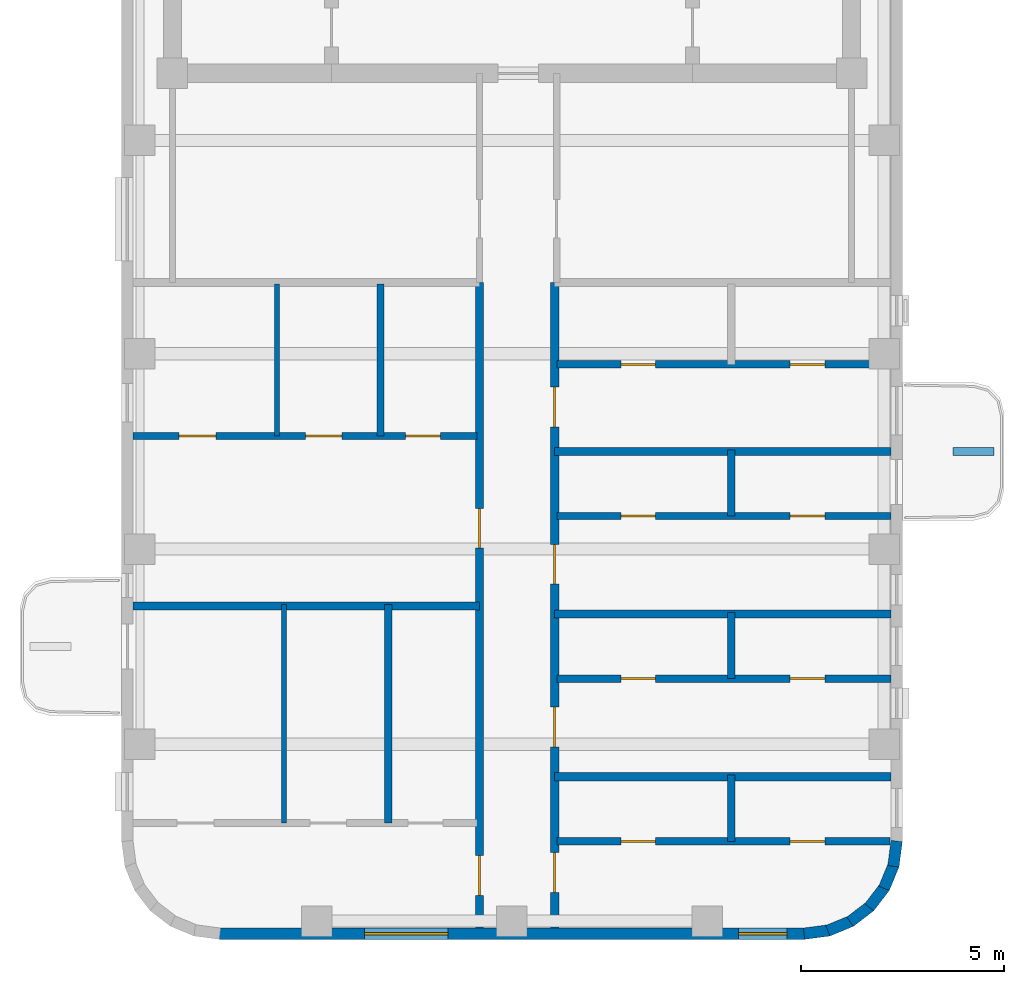
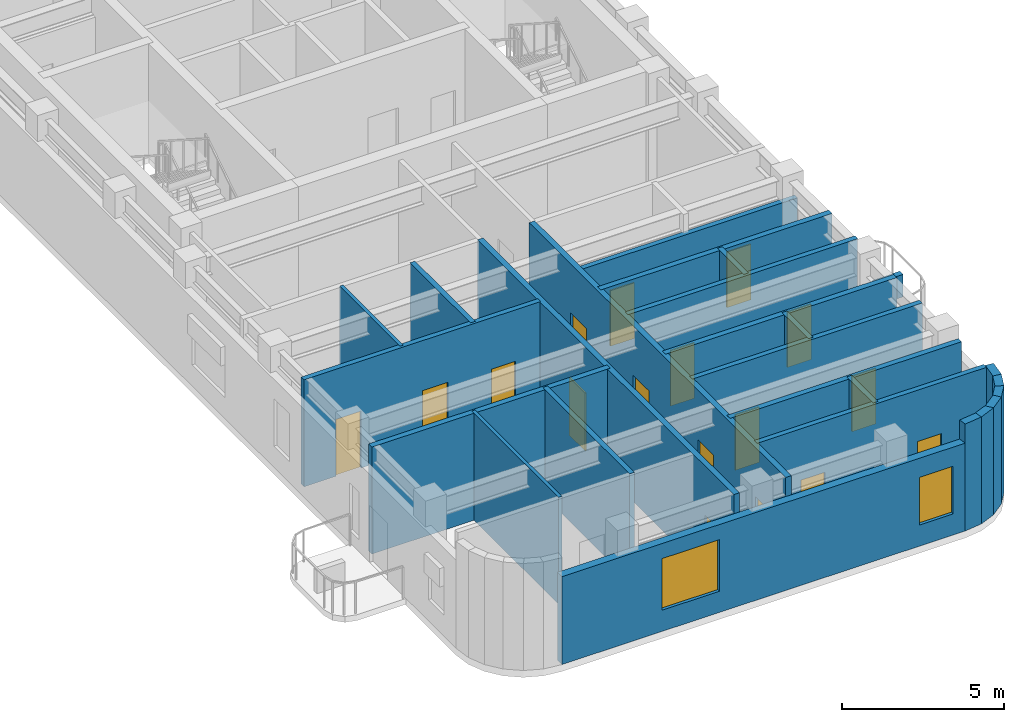
# One storey, part 2 of 7: 26 walls, 17 doors, 2 windows, 19 openings.
"""IFC4 building model written with IfcOpenShell, lengths in metres."""

from ifc_helpers import new_model, si_unit, direction, frame, frame_2d, origin, place, context, subcontext, project, spatial, rectangle, extrude, material, layer, layer_set, type_object, element, fill, save


model = new_model("IFC4")

# Units and contexts
model_context = context("Model", 3, precision=1e-05, world=origin(), true_north=direction((0.0, 1.0)))
body_context = subcontext(model_context, "Body", "Model", "MODEL_VIEW")
ifc_project = project(units=[si_unit("LENGTHUNIT", "METRE"), si_unit("AREAUNIT", "SQUARE_METRE"), si_unit("VOLUMEUNIT", "CUBIC_METRE"), si_unit("PLANEANGLEUNIT", "RADIAN"), si_unit("MASSUNIT", "GRAM", prefix="KILO")], contexts=[model_context])

# Site, building, storey
site_placement = place(None, origin())
site = spatial("IfcSite", under=ifc_project, at=site_placement, CompositionType="ELEMENT")
building_placement = place(site_placement, origin())
building = spatial("IfcBuilding", under=site, at=building_placement, Name="Orvandelia Arch Residences", CompositionType="ELEMENT")
storey_placement = place(building_placement, frame((0.0, 0.0, 257.0)))
storey = spatial("IfcBuildingStorey", under=building, at=storey_placement, Name="L67", CompositionType="ELEMENT", Elevation=257.0)

# Wall, openings, doors
ifc_material_1 = material(Name="Fire-Rated Corridor Partition")
ifc_layer_1 = layer(ifc_material_1, 0.199951171875, Name="Fire-Rated Corridor Partition")
ifc_layer_set_1 = layer_set([ifc_layer_1], Name="Fire-Rated Corridor Partition")
wall_type_1 = type_object("IfcWallType", Name="WL-CORR-200", PredefinedType="PARTITIONING", material=ifc_layer_set_1)
wall_1_placement = place(storey_placement, frame((13.60009765625, 9.8798828125, 0.0), z_axis=(0.0, 0.0, 1.0), x_axis=(0.0, 1.0, 0.0)))
wall_1 = element("IfcWall", 1, at=wall_1_placement, inside=storey, type_object=wall_type_1, Name="Interior Partition Wall WL-L67-WC-W", PredefinedType="PARTITIONING", context=body_context, shape_type="SweptSolid", body=[
    extrude(rectangle(XDim=15.8701171875, YDim=0.199951171875, at=frame_2d((7.93505859375, 0.0))), origin(), (0.0, 0.0, 1.0), 4.0400390625),
])
opening_1_placement = place(wall_1_placement, frame((0.801025390625, 0.0, 0.0)))
opening_1 = element("IfcOpeningElement", 2, at=opening_1_placement, cuts=wall_1, Name="Opening D1", PredefinedType="OPENING", context=body_context, shape_type="SweptSolid", body=[
    extrude(rectangle(XDim=0.97998046875, YDim=2.179931640625, at=frame_2d((0.489990234375, 1.08984375))), frame((0.0, 0.10986328125, 0.0), z_axis=(0.0, -1.0, 0.0), x_axis=(1.0, 0.0, 0.0)), (0.0, 0.0, 1.0), 0.219970703125),
])
opening_2_placement = place(wall_1_placement, frame((9.342041015625, 0.0, 0.0)))
opening_2 = element("IfcOpeningElement", 3, at=opening_2_placement, cuts=wall_1, Name="Opening D1", PredefinedType="OPENING", context=body_context, shape_type="SweptSolid", body=[
    extrude(rectangle(XDim=0.97998046875, YDim=2.179931640625, at=frame_2d((0.489990234375, 1.08984375))), frame((0.0, 0.10986328125, 0.0), z_axis=(0.0, -1.0, 0.0), x_axis=(1.0, 0.0, 0.0)), (0.0, 0.0, 1.0), 0.219970703125),
])
ifc_material_2 = material(Name="Solid-Core Timber Acoustic Fire Door", Category="wood")
door_type_1 = type_object("IfcDoorType", Name="DR-ENT-980", OperationType="NOTDEFINED", PredefinedType="DOOR", material=ifc_material_2)
door_1_placement = place(opening_1_placement, origin())
door_1 = element("IfcDoor", 4, at=door_1_placement, inside=storey, type_object=door_type_1, Name="Unit L67-01 Entrance Door", OperationType="SINGLE_SWING_LEFT", OverallHeight=2.179931640625, OverallWidth=0.97998046875, PredefinedType="DOOR", context=body_context, shape_type="SweptSolid", body=[
    extrude(rectangle(XDim=0.97998046875, YDim=2.179931640625, at=frame_2d((0.489990234375, 1.08984375))), frame((0.0, 0.02490234375, 0.0), z_axis=(0.0, -1.0, 0.0), x_axis=(1.0, 0.0, 0.0)), (0.0, 0.0, 1.0), 0.050048828125),
])
fill(opening_1, door_1)
door_2_placement = place(opening_2_placement, origin())
door_2 = element("IfcDoor", 5, at=door_2_placement, inside=storey, type_object=door_type_1, Name="Unit L67-02 Entrance Door", OperationType="SINGLE_SWING_RIGHT", OverallHeight=2.179931640625, OverallWidth=0.97998046875, PredefinedType="DOOR", context=body_context, shape_type="SweptSolid", body=[
    extrude(rectangle(XDim=0.97998046875, YDim=2.179931640625, at=frame_2d((0.489990234375, 1.08984375))), frame((0.0, 0.02490234375, 0.0), z_axis=(0.0, -1.0, 0.0), x_axis=(1.0, 0.0, 0.0)), (0.0, 0.0, 1.0), 0.050048828125),
])
fill(opening_2, door_2)

wall_2_placement = place(storey_placement, frame((15.449951171875, 9.8798828125, 0.0), z_axis=(0.0, 0.0, 1.0), x_axis=(0.0, 1.0, 0.0)))
wall_2 = element("IfcWall", 6, at=wall_2_placement, inside=storey, type_object=wall_type_1, Name="Interior Partition Wall WL-L67-WC-E", PredefinedType="PARTITIONING", context=body_context, shape_type="SweptSolid", body=[
    extrude(rectangle(XDim=15.8701171875, YDim=0.199951171875, at=frame_2d((7.93505859375, 0.0))), origin(), (0.0, 0.0, 1.0), 4.0400390625),
])
opening_3_placement = place(wall_2_placement, frame((0.875, 0.0, 0.0)))
opening_3 = element("IfcOpeningElement", 7, at=opening_3_placement, cuts=wall_2, Name="Opening D1", PredefinedType="OPENING", context=body_context, shape_type="SweptSolid", body=[
    extrude(rectangle(XDim=0.97998046875, YDim=2.179931640625, at=frame_2d((0.489990234375, 1.08984375))), frame((0.0, 0.10986328125, 0.0), z_axis=(0.0, -1.0, 0.0), x_axis=(1.0, 0.0, 0.0)), (0.0, 0.0, 1.0), 0.219970703125),
])
opening_4_placement = place(wall_2_placement, frame((4.455078125, 0.0, 0.0)))
opening_4 = element("IfcOpeningElement", 8, at=opening_4_placement, cuts=wall_2, Name="Opening D1", PredefinedType="OPENING", context=body_context, shape_type="SweptSolid", body=[
    extrude(rectangle(XDim=0.97998046875, YDim=2.179931640625, at=frame_2d((0.489990234375, 1.08984375))), frame((0.0, 0.10986328125, 0.0), z_axis=(0.0, -1.0, 0.0), x_axis=(1.0, 0.0, 0.0)), (0.0, 0.0, 1.0), 0.219970703125),
])
opening_5_placement = place(wall_2_placement, frame((8.455078125, 0.0, 0.0)))
opening_5 = element("IfcOpeningElement", 9, at=opening_5_placement, cuts=wall_2, Name="Opening D1", PredefinedType="OPENING", context=body_context, shape_type="SweptSolid", body=[
    extrude(rectangle(XDim=0.97998046875, YDim=2.179931640625, at=frame_2d((0.489990234375, 1.08984375))), frame((0.0, 0.10986328125, 0.0), z_axis=(0.0, -1.0, 0.0), x_axis=(1.0, 0.0, 0.0)), (0.0, 0.0, 1.0), 0.219970703125),
])
opening_6_placement = place(wall_2_placement, frame((12.320068359375, 0.0, 0.0)))
opening_6 = element("IfcOpeningElement", 10, at=opening_6_placement, cuts=wall_2, Name="Opening D1", PredefinedType="OPENING", context=body_context, shape_type="SweptSolid", body=[
    extrude(rectangle(XDim=0.97998046875, YDim=2.179931640625, at=frame_2d((0.489990234375, 1.08984375))), frame((0.0, 0.10986328125, 0.0), z_axis=(0.0, -1.0, 0.0), x_axis=(1.0, 0.0, 0.0)), (0.0, 0.0, 1.0), 0.219970703125),
])
door_3_placement = place(opening_3_placement, origin())
door_3 = element("IfcDoor", 11, at=door_3_placement, inside=storey, type_object=door_type_1, Name="Unit L67-03 Entrance Door", OperationType="SINGLE_SWING_LEFT", OverallHeight=2.179931640625, OverallWidth=0.97998046875, PredefinedType="DOOR", context=body_context, shape_type="SweptSolid", body=[
    extrude(rectangle(XDim=0.97998046875, YDim=2.179931640625, at=frame_2d((0.489990234375, 1.08984375))), frame((0.0, 0.02490234375, 0.0), z_axis=(0.0, -1.0, 0.0), x_axis=(1.0, 0.0, 0.0)), (0.0, 0.0, 1.0), 0.050048828125),
])
fill(opening_3, door_3)
door_4_placement = place(opening_4_placement, origin())
door_4 = element("IfcDoor", 12, at=door_4_placement, inside=storey, type_object=door_type_1, Name="Unit L67-04 Entrance Door", OperationType="SINGLE_SWING_RIGHT", OverallHeight=2.179931640625, OverallWidth=0.97998046875, PredefinedType="DOOR", context=body_context, shape_type="SweptSolid", body=[
    extrude(rectangle(XDim=0.97998046875, YDim=2.179931640625, at=frame_2d((0.489990234375, 1.08984375))), frame((0.0, 0.02490234375, 0.0), z_axis=(0.0, -1.0, 0.0), x_axis=(1.0, 0.0, 0.0)), (0.0, 0.0, 1.0), 0.050048828125),
])
fill(opening_4, door_4)
door_5_placement = place(opening_5_placement, origin())
door_5 = element("IfcDoor", 13, at=door_5_placement, inside=storey, type_object=door_type_1, Name="Unit L67-05 Entrance Door", OperationType="SINGLE_SWING_LEFT", OverallHeight=2.179931640625, OverallWidth=0.97998046875, PredefinedType="DOOR", context=body_context, shape_type="SweptSolid", body=[
    extrude(rectangle(XDim=0.97998046875, YDim=2.179931640625, at=frame_2d((0.489990234375, 1.08984375))), frame((0.0, 0.02490234375, 0.0), z_axis=(0.0, -1.0, 0.0), x_axis=(1.0, 0.0, 0.0)), (0.0, 0.0, 1.0), 0.050048828125),
])
fill(opening_5, door_5)
door_6_placement = place(opening_6_placement, origin())
door_6 = element("IfcDoor", 14, at=door_6_placement, inside=storey, type_object=door_type_1, Name="Unit L67-06 Entrance Door", OperationType="SINGLE_SWING_RIGHT", OverallHeight=2.179931640625, OverallWidth=0.97998046875, PredefinedType="DOOR", context=body_context, shape_type="SweptSolid", body=[
    extrude(rectangle(XDim=0.97998046875, YDim=2.179931640625, at=frame_2d((0.489990234375, 1.08984375))), frame((0.0, 0.02490234375, 0.0), z_axis=(0.0, -1.0, 0.0), x_axis=(1.0, 0.0, 0.0)), (0.0, 0.0, 1.0), 0.050048828125),
])
fill(opening_6, door_6)

# Walls
ifc_material_3 = material(Name="Concrete C40/50", Category="concrete")
ifc_layer_2 = layer(ifc_material_3, 0.199951171875, Name="Concrete C40/50", Category="concrete")
ifc_layer_set_2 = layer_set([ifc_layer_2], Name="Concrete C40/50")
wall_type_2 = type_object("IfcWallType", Name="WL-DEM-200", PredefinedType="SOLIDWALL", material=ifc_layer_set_2)
wall_3_placement = place(storey_placement, frame((5.080078125, 17.800048828125, 0.0), z_axis=(0.0, 0.0, 1.0), x_axis=(1.0, 0.0, 0.0)))
element("IfcWall", 15, at=wall_3_placement, inside=storey, type_object=wall_type_2, Name="Interior Partition Wall WL-L67-DEM-WL-178", PredefinedType="SOLIDWALL", context=body_context, shape_type="SweptSolid", body=[
    extrude(rectangle(XDim=8.52001953125, YDim=0.199951171875, at=frame_2d((4.260009765625, 0.0))), origin(), (0.0, 0.0, 1.0), 4.0400390625),
])
for number, where, z_axis, x_axis, name in (
    (16, (15.449951171875, 13.60009765625, 0.0), (0.0, 0.0, 1.0), (1.0, 0.0, 0.0), "Interior Partition Wall WL-L67-DEM-WR-136"),
    (17, (15.449951171875, 17.60009765625, 0.0), (0.0, 0.0, 1.0), (1.0, 0.0, 0.0), "Interior Partition Wall WL-L67-DEM-WR-176"),
    (18, (15.449951171875, 21.60009765625, 0.0), (0.0, 0.0, 1.0), (1.0, 0.0, 0.0), "Interior Partition Wall WL-L67-DEM-WR-216"),
):
    element("IfcWall", number, at=place(storey_placement, frame(where, z_axis=z_axis, x_axis=x_axis)), inside=storey, type_object=wall_type_2, Name=name, PredefinedType="SOLIDWALL", context=body_context, shape_type="SweptSolid", body=[
        extrude(rectangle(XDim=8.27001953125, YDim=0.199951171875, at=frame_2d((4.135009765625, 0.0))), origin(), (0.0, 0.0, 1.0), 4.0400390625),
    ])
ifc_material_4 = material(Name="Precast concrete C40/50", Category="concrete")
ifc_layer_3 = layer(ifc_material_4, 0.280029296875, Name="Precast concrete C40/50", Category="concrete")
ifc_layer_set_3 = layer_set([ifc_layer_3], Name="Precast concrete C40/50")
wall_type_3 = type_object("IfcWallType", Name="WL-EXT-STONE-280", PredefinedType="STANDARD", material=ifc_layer_set_3)
for number, where, z_axis, x_axis, name in (
    (19, (23.861083984375, 12.018310546875, 0.0), (0.0, 0.0, 1.0), (-0.130555323746, -0.9914410257, 0.0), "Coral-Limestone Precast Facade Wall L67-015"),
    (20, (23.788818359375, 11.432373046875, 0.0), (0.0, 0.0, 1.0), (-0.382317370307, -0.924031075431, 0.0), "Coral-Limestone Precast Facade Wall L67-016"),
    (21, (23.5673828125, 10.88525390625, 0.0), (0.0, 0.0, 1.0), (-0.608693302629, -0.793405610854, 0.0), "Coral-Limestone Precast Facade Wall L67-017"),
    (22, (23.2119140625, 10.4140625, 0.0), (0.0, 0.0, 1.0), (-0.793405610854, -0.608693302629, 0.0), "Coral-Limestone Precast Facade Wall L67-018"),
    (23, (22.746337890625, 10.05078125, 0.0), (0.0, 0.0, 1.0), (-0.92389335771, -0.382650053678, 0.0), "Coral-Limestone Precast Facade Wall L67-019"),
    (24, (22.202880859375, 9.820556640625, 0.0), (0.0, 0.0, 1.0), (-0.9914410257, -0.130555323746, 0.0), "Coral-Limestone Precast Facade Wall L67-020"),
):
    element("IfcWall", number, at=place(storey_placement, frame(where, z_axis=z_axis, x_axis=x_axis)), inside=storey, type_object=wall_type_3, Name=name, PredefinedType="STANDARD", context=body_context, shape_type="SweptSolid", body=[
        extrude(rectangle(XDim=0.62646484375, YDim=0.280029296875, at=frame_2d((0.313232421875, 0.0))), origin(), (0.0, 0.0, 1.0), 4.0400390625),
    ])

# Wall, openings, windows
wall_4_placement = place(storey_placement, frame((21.60009765625, 9.739990234375, 0.0), z_axis=(0.0, 0.0, 1.0), x_axis=(-1.0, 0.0, 0.0)))
wall_4 = element("IfcWall", 25, at=wall_4_placement, inside=storey, type_object=wall_type_3, Name="Coral-Limestone Precast Facade Wall L67-021", PredefinedType="STANDARD", context=body_context, shape_type="SweptSolid", body=[
    extrude(rectangle(XDim=14.400146484375, YDim=0.280029296875, at=frame_2d((7.2001953125, 0.0))), origin(), (0.0, 0.0, 1.0), 3.320068359375),
])
opening_7_placement = place(wall_4_placement, frame((0.4326171875, 0.0, 0.800048828125)))
opening_7 = element("IfcOpeningElement", 26, at=opening_7_placement, cuts=wall_4, Name="Opening W3", PredefinedType="OPENING", context=body_context, shape_type="SweptSolid", body=[
    extrude(rectangle(XDim=1.199951171875, YDim=1.800048828125, at=frame_2d((0.60009765625, 0.89990234375))), frame((0.0, 0.14990234375, 0.0), z_axis=(0.0, -1.0, 0.0), x_axis=(1.0, 0.0, 0.0)), (0.0, 0.0, 1.0), 0.300048828125),
])
opening_8_placement = place(wall_4_placement, frame((8.777587890625, 0.0, 0.800048828125)))
opening_8 = element("IfcOpeningElement", 27, at=opening_8_placement, cuts=wall_4, Name="Opening W8", PredefinedType="OPENING", context=body_context, shape_type="SweptSolid", body=[
    extrude(rectangle(XDim=2.050048828125, YDim=1.949951171875, at=frame_2d((1.02490234375, 0.97509765625))), frame((0.0, 0.14990234375, 0.0), z_axis=(0.0, -1.0, 0.0), x_axis=(1.0, 0.0, 0.0)), (0.0, 0.0, 1.0), 0.300048828125),
])
ifc_material_5 = material(Name="Tempered Low-E Insulated Glazing", Category="glass")
window_type_1 = type_object("IfcWindowType", Name="WIN-RES-1200x1800", PartitioningType="SINGLE_PANEL", PredefinedType="WINDOW", material=ifc_material_5)
window_1_placement = place(opening_7_placement, origin())
window_1 = element("IfcWindow", 28, at=window_1_placement, inside=storey, type_object=window_type_1, Name="Recessed Punched Window L67-010", OverallHeight=1.800048828125, OverallWidth=1.199951171875, PartitioningType="SINGLE_PANEL", PredefinedType="WINDOW", context=body_context, shape_type="SweptSolid", body=[
    extrude(rectangle(XDim=1.199951171875, YDim=1.800048828125, at=frame_2d((0.60009765625, 0.89990234375))), frame((0.0, 0.030029296875, 0.0), z_axis=(0.0, -1.0, 0.0), x_axis=(1.0, 0.0, 0.0)), (0.0, 0.0, 1.0), 0.06005859375),
])
fill(opening_7, window_1)
window_type_2 = type_object("IfcWindowType", Name="WIN-UPP-2050x1950", PartitioningType="SINGLE_PANEL", PredefinedType="WINDOW", material=ifc_material_5)
window_2_placement = place(opening_8_placement, origin())
window_2 = element("IfcWindow", 29, at=window_2_placement, inside=storey, type_object=window_type_2, Name="Recessed Punched Window L67-011", OverallHeight=1.949951171875, OverallWidth=2.050048828125, PartitioningType="SINGLE_PANEL", PredefinedType="WINDOW", context=body_context, shape_type="SweptSolid", body=[
    extrude(rectangle(XDim=2.050048828125, YDim=1.949951171875, at=frame_2d((1.02490234375, 0.97509765625))), frame((0.0, 0.030029296875, 0.0), z_axis=(0.0, -1.0, 0.0), x_axis=(1.0, 0.0, 0.0)), (0.0, 0.0, 1.0), 0.06005859375),
])
fill(opening_8, window_2)

# Walls
ifc_material_6 = material(Name="Lightweight Gypsum Stud Partition")
ifc_layer_4 = layer(ifc_material_6, 0.1201171875, Name="Lightweight Gypsum Stud Partition")
ifc_layer_set_4 = layer_set([ifc_layer_4], Name="Lightweight Gypsum Stud Partition")
wall_type_4 = type_object("IfcWallType", Name="WL-PART-120", PredefinedType="PARTITIONING", material=ifc_layer_set_4)
wall_5_placement = place(storey_placement, frame((8.791015625, 12.4619140625, 0.0), z_axis=(0.0, 0.0, 1.0), x_axis=(0.0, 1.0, 0.0)))
element("IfcWall", 30, at=wall_5_placement, inside=storey, type_object=wall_type_4, Name="Interior Partition Wall WL-L67-U01-V1", PredefinedType="PARTITIONING", context=body_context, shape_type="SweptSolid", body=[
    extrude(rectangle(XDim=5.378173828125, YDim=0.1201171875, at=frame_2d((2.68896484375, 0.0))), origin(), (0.0, 0.0, 1.0), 4.0400390625),
])
wall_6_placement = place(storey_placement, frame((8.6220703125, 21.97998046875, 0.0), z_axis=(0.0, 0.0, 1.0), x_axis=(0.0, 1.0, 0.0)))
element("IfcWall", 31, at=wall_6_placement, inside=storey, type_object=wall_type_4, Name="Interior Partition Wall WL-L67-U02-V1", PredefinedType="PARTITIONING", context=body_context, shape_type="SweptSolid", body=[
    extrude(rectangle(XDim=3.739990234375, YDim=0.1201171875, at=frame_2d((1.8701171875, 0.0))), origin(), (0.0, 0.0, 1.0), 4.0400390625),
])
ifc_layer_5 = layer(ifc_material_4, 0.199951171875, Name="Precast concrete C40/50", Category="concrete")
ifc_layer_set_5 = layer_set([ifc_layer_5], Name="Precast concrete C40/50")
wall_type_5 = type_object("IfcWallType", Name="WL-PLANTER-200", PredefinedType="MOVABLE", material=ifc_layer_set_5)
wall_7_placement = place(storey_placement, frame((25.25, 21.60009765625, 0.0), z_axis=(0.0, 0.0, 1.0), x_axis=(1.0, 0.0, 0.0)))
element("IfcWall", 32, at=wall_7_placement, inside=storey, type_object=wall_type_5, Name="Balcony Precast Tree Planter BAL-L67-W2", PredefinedType="MOVABLE", context=body_context, shape_type="SweptSolid", body=[
    extrude(rectangle(XDim=1.0, YDim=0.199951171875, at=frame_2d((0.5, 0.0))), origin(), (0.0, 0.0, 1.0), 0.85009765625),
])
ifc_material_7 = material(Name="Moisture-Resistant Plumbing Wall")
ifc_layer_6 = layer(ifc_material_7, 0.179931640625, Name="Moisture-Resistant Plumbing Wall")
ifc_layer_set_6 = layer_set([ifc_layer_6], Name="Moisture-Resistant Plumbing Wall")
wall_type_6 = type_object("IfcWallType", Name="WL-WET-180", PredefinedType="PLUMBINGWALL", material=ifc_layer_set_6)
wall_8_placement = place(storey_placement, frame((11.35498046875, 12.4619140625, 0.0), z_axis=(0.0, 0.0, 1.0), x_axis=(0.0, 1.0, 0.0)))
element("IfcWall", 33, at=wall_8_placement, inside=storey, type_object=wall_type_6, Name="Interior Partition Wall WL-L67-U01-V2", PredefinedType="PLUMBINGWALL", context=body_context, shape_type="SweptSolid", body=[
    extrude(rectangle(XDim=5.378173828125, YDim=0.179931640625, at=frame_2d((2.68896484375, 0.0))), origin(), (0.0, 0.0, 1.0), 4.0400390625),
])

# Wall, openings, doors
wall_9_placement = place(storey_placement, frame((5.080078125, 21.97998046875, 0.0), z_axis=(0.0, 0.0, 1.0), x_axis=(1.0, 0.0, 0.0)))
wall_9 = element("IfcWall", 34, at=wall_9_placement, inside=storey, type_object=wall_type_6, Name="Interior Partition Wall WL-L67-U02-HZ", PredefinedType="PLUMBINGWALL", context=body_context, shape_type="SweptSolid", body=[
    extrude(rectangle(XDim=8.4599609375, YDim=0.179931640625, at=frame_2d((4.22998046875, 0.0))), origin(), (0.0, 0.0, 1.0), 4.0400390625),
])
opening_9_placement = place(wall_9_placement, frame((1.135986328125, 0.0, 0.0)))
opening_9 = element("IfcOpeningElement", 35, at=opening_9_placement, cuts=wall_9, Name="Opening D3", PredefinedType="OPENING", context=body_context, shape_type="SweptSolid", body=[
    extrude(rectangle(XDim=0.89990234375, YDim=2.14990234375, at=frame_2d((0.449951171875, 1.074951171875))), frame((0.0, 0.10009765625, 0.0), z_axis=(0.0, -1.0, 0.0), x_axis=(1.0, 0.0, 0.0)), (0.0, 0.0, 1.0), 0.199951171875),
])
opening_10_placement = place(wall_9_placement, frame((4.239013671875, 0.0, 0.0)))
opening_10 = element("IfcOpeningElement", 36, at=opening_10_placement, cuts=wall_9, Name="Opening D3", PredefinedType="OPENING", context=body_context, shape_type="SweptSolid", body=[
    extrude(rectangle(XDim=0.89990234375, YDim=2.14990234375, at=frame_2d((0.449951171875, 1.074951171875))), frame((0.0, 0.10009765625, 0.0), z_axis=(0.0, -1.0, 0.0), x_axis=(1.0, 0.0, 0.0)), (0.0, 0.0, 1.0), 0.199951171875),
])
opening_11_placement = place(wall_9_placement, frame((6.697998046875, 0.0, 0.0)))
opening_11 = element("IfcOpeningElement", 37, at=opening_11_placement, cuts=wall_9, Name="Opening D4", PredefinedType="OPENING", context=body_context, shape_type="SweptSolid", body=[
    extrude(rectangle(XDim=0.860107421875, YDim=2.10009765625, at=frame_2d((0.43017578125, 1.050048828125))), frame((0.0, 0.10009765625, 0.0), z_axis=(0.0, -1.0, 0.0), x_axis=(1.0, 0.0, 0.0)), (0.0, 0.0, 1.0), 0.199951171875),
])
ifc_material_8 = material(Name="Engineered Timber Flush Door", Category="wood")
door_type_2 = type_object("IfcDoorType", Name="DR-INT-900", OperationType="NOTDEFINED", PredefinedType="DOOR", material=ifc_material_8)
door_7_placement = place(opening_9_placement, origin())
door_7 = element("IfcDoor", 38, at=door_7_placement, inside=storey, type_object=door_type_2, Name="DR-L67-U02-STDY", OperationType="SINGLE_SWING_RIGHT", OverallHeight=2.14990234375, OverallWidth=0.89990234375, PredefinedType="DOOR", context=body_context, shape_type="SweptSolid", body=[
    extrude(rectangle(XDim=0.89990234375, YDim=2.14990234375, at=frame_2d((0.449951171875, 1.074951171875))), frame((0.0, 0.02490234375, 0.0), z_axis=(0.0, -1.0, 0.0), x_axis=(1.0, 0.0, 0.0)), (0.0, 0.0, 1.0), 0.050048828125),
])
fill(opening_9, door_7)
door_8_placement = place(opening_10_placement, origin())
door_8 = element("IfcDoor", 39, at=door_8_placement, inside=storey, type_object=door_type_2, Name="DR-L67-U02-KIT", OperationType="SINGLE_SWING_LEFT", OverallHeight=2.14990234375, OverallWidth=0.89990234375, PredefinedType="DOOR", context=body_context, shape_type="SweptSolid", body=[
    extrude(rectangle(XDim=0.89990234375, YDim=2.14990234375, at=frame_2d((0.449951171875, 1.074951171875))), frame((0.0, 0.02490234375, 0.0), z_axis=(0.0, -1.0, 0.0), x_axis=(1.0, 0.0, 0.0)), (0.0, 0.0, 1.0), 0.050048828125),
])
fill(opening_10, door_8)
ifc_material_9 = material(Name="Moisture-Sealed Timber Bathroom Door", Category="wood")
door_type_3 = type_object("IfcDoorType", Name="DR-WET-900", OperationType="NOTDEFINED", PredefinedType="DOOR", material=ifc_material_9)
door_9_placement = place(opening_11_placement, origin())
door_9 = element("IfcDoor", 40, at=door_9_placement, inside=storey, type_object=door_type_3, Name="DR-L67-U02-BTH", OperationType="SINGLE_SWING_RIGHT", OverallHeight=2.10009765625, OverallWidth=0.860107421875, PredefinedType="DOOR", context=body_context, shape_type="SweptSolid", body=[
    extrude(rectangle(XDim=0.860107421875, YDim=2.10009765625, at=frame_2d((0.43017578125, 1.050048828125))), frame((0.0, 0.02490234375, 0.0), z_axis=(0.0, -1.0, 0.0), x_axis=(1.0, 0.0, 0.0)), (0.0, 0.0, 1.0), 0.050048828125),
])
fill(opening_11, door_9)

# Wall
wall_10_placement = place(storey_placement, frame((11.166015625, 21.97998046875, 0.0), z_axis=(0.0, 0.0, 1.0), x_axis=(0.0, 1.0, 0.0)))
element("IfcWall", 41, at=wall_10_placement, inside=storey, type_object=wall_type_6, Name="Interior Partition Wall WL-L67-U02-V2", PredefinedType="PLUMBINGWALL", context=body_context, shape_type="SweptSolid", body=[
    extrude(rectangle(XDim=3.739990234375, YDim=0.179931640625, at=frame_2d((1.8701171875, 0.0))), origin(), (0.0, 0.0, 1.0), 4.0400390625),
])

# Wall, openings, doors
wall_11_placement = place(storey_placement, frame((15.510009765625, 12.010009765625, 0.0), z_axis=(0.0, 0.0, 1.0), x_axis=(1.0, 0.0, 0.0)))
wall_11 = element("IfcWall", 42, at=wall_11_placement, inside=storey, type_object=wall_type_6, Name="Interior Partition Wall WL-L67-U03-HZ", PredefinedType="PLUMBINGWALL", context=body_context, shape_type="SweptSolid", body=[
    extrude(rectangle(XDim=8.18994140625, YDim=0.179931640625, at=frame_2d((4.094970703125, 0.0))), origin(), (0.0, 0.0, 1.0), 4.0400390625),
])
opening_12_placement = place(wall_11_placement, frame((1.56494140625, 0.0, 0.0)))
opening_12 = element("IfcOpeningElement", 43, at=opening_12_placement, cuts=wall_11, Name="Opening D4", PredefinedType="OPENING", context=body_context, shape_type="SweptSolid", body=[
    extrude(rectangle(XDim=0.860107421875, YDim=2.10009765625, at=frame_2d((0.43017578125, 1.050048828125))), frame((0.0, 0.10009765625, 0.0), z_axis=(0.0, -1.0, 0.0), x_axis=(1.0, 0.0, 0.0)), (0.0, 0.0, 1.0), 0.199951171875),
])
opening_13_placement = place(wall_11_placement, frame((5.72998046875, 0.0, 0.0)))
opening_13 = element("IfcOpeningElement", 44, at=opening_13_placement, cuts=wall_11, Name="Opening D4", PredefinedType="OPENING", context=body_context, shape_type="SweptSolid", body=[
    extrude(rectangle(XDim=0.860107421875, YDim=2.10009765625, at=frame_2d((0.43017578125, 1.050048828125))), frame((0.0, 0.10009765625, 0.0), z_axis=(0.0, -1.0, 0.0), x_axis=(1.0, 0.0, 0.0)), (0.0, 0.0, 1.0), 0.199951171875),
])
door_10_placement = place(opening_12_placement, origin())
door_10 = element("IfcDoor", 45, at=door_10_placement, inside=storey, type_object=door_type_3, Name="DR-L67-U03-KIT", OperationType="SINGLE_SWING_LEFT", OverallHeight=2.10009765625, OverallWidth=0.860107421875, PredefinedType="DOOR", context=body_context, shape_type="SweptSolid", body=[
    extrude(rectangle(XDim=0.860107421875, YDim=2.10009765625, at=frame_2d((0.43017578125, 1.050048828125))), frame((0.0, 0.02490234375, 0.0), z_axis=(0.0, -1.0, 0.0), x_axis=(1.0, 0.0, 0.0)), (0.0, 0.0, 1.0), 0.050048828125),
])
fill(opening_12, door_10)
door_11_placement = place(opening_13_placement, origin())
door_11 = element("IfcDoor", 46, at=door_11_placement, inside=storey, type_object=door_type_3, Name="DR-L67-U03-BTH", OperationType="SINGLE_SWING_RIGHT", OverallHeight=2.10009765625, OverallWidth=0.860107421875, PredefinedType="DOOR", context=body_context, shape_type="SweptSolid", body=[
    extrude(rectangle(XDim=0.860107421875, YDim=2.10009765625, at=frame_2d((0.43017578125, 1.050048828125))), frame((0.0, 0.02490234375, 0.0), z_axis=(0.0, -1.0, 0.0), x_axis=(1.0, 0.0, 0.0)), (0.0, 0.0, 1.0), 0.050048828125),
])
fill(opening_13, door_11)

# Wall
wall_12_placement = place(storey_placement, frame((19.7900390625, 12.010009765625, 0.0), z_axis=(0.0, 0.0, 1.0), x_axis=(0.0, 1.0, 0.0)))
element("IfcWall", 47, at=wall_12_placement, inside=storey, type_object=wall_type_6, Name="Interior Partition Wall WL-L67-U03-V1", PredefinedType="PLUMBINGWALL", context=body_context, shape_type="SweptSolid", body=[
    extrude(rectangle(XDim=1.6298828125, YDim=0.179931640625, at=frame_2d((0.81494140625, 0.0))), origin(), (0.0, 0.0, 1.0), 4.0400390625),
])

# Wall, openings, doors
wall_13_placement = place(storey_placement, frame((15.510009765625, 16.010009765625, 0.0), z_axis=(0.0, 0.0, 1.0), x_axis=(1.0, 0.0, 0.0)))
wall_13 = element("IfcWall", 48, at=wall_13_placement, inside=storey, type_object=wall_type_6, Name="Interior Partition Wall WL-L67-U04-HZ", PredefinedType="PLUMBINGWALL", context=body_context, shape_type="SweptSolid", body=[
    extrude(rectangle(XDim=8.2099609375, YDim=0.179931640625, at=frame_2d((4.10498046875, 0.0))), origin(), (0.0, 0.0, 1.0), 4.0400390625),
])
opening_14_placement = place(wall_13_placement, frame((1.56494140625, 0.0, 0.0)))
opening_14 = element("IfcOpeningElement", 49, at=opening_14_placement, cuts=wall_13, Name="Opening D4", PredefinedType="OPENING", context=body_context, shape_type="SweptSolid", body=[
    extrude(rectangle(XDim=0.860107421875, YDim=2.10009765625, at=frame_2d((0.43017578125, 1.050048828125))), frame((0.0, 0.10009765625, 0.0), z_axis=(0.0, -1.0, 0.0), x_axis=(1.0, 0.0, 0.0)), (0.0, 0.0, 1.0), 0.199951171875),
])
opening_15_placement = place(wall_13_placement, frame((5.72998046875, 0.0, 0.0)))
opening_15 = element("IfcOpeningElement", 50, at=opening_15_placement, cuts=wall_13, Name="Opening D4", PredefinedType="OPENING", context=body_context, shape_type="SweptSolid", body=[
    extrude(rectangle(XDim=0.860107421875, YDim=2.10009765625, at=frame_2d((0.43017578125, 1.050048828125))), frame((0.0, 0.10009765625, 0.0), z_axis=(0.0, -1.0, 0.0), x_axis=(1.0, 0.0, 0.0)), (0.0, 0.0, 1.0), 0.199951171875),
])
door_12_placement = place(opening_14_placement, origin())
door_12 = element("IfcDoor", 51, at=door_12_placement, inside=storey, type_object=door_type_3, Name="DR-L67-U04-KIT", OperationType="SINGLE_SWING_RIGHT", OverallHeight=2.10009765625, OverallWidth=0.860107421875, PredefinedType="DOOR", context=body_context, shape_type="SweptSolid", body=[
    extrude(rectangle(XDim=0.860107421875, YDim=2.10009765625, at=frame_2d((0.43017578125, 1.050048828125))), frame((0.0, 0.02490234375, 0.0), z_axis=(0.0, -1.0, 0.0), x_axis=(1.0, 0.0, 0.0)), (0.0, 0.0, 1.0), 0.050048828125),
])
fill(opening_14, door_12)
door_13_placement = place(opening_15_placement, origin())
door_13 = element("IfcDoor", 52, at=door_13_placement, inside=storey, type_object=door_type_3, Name="DR-L67-U04-BTH", OperationType="SINGLE_SWING_LEFT", OverallHeight=2.10009765625, OverallWidth=0.860107421875, PredefinedType="DOOR", context=body_context, shape_type="SweptSolid", body=[
    extrude(rectangle(XDim=0.860107421875, YDim=2.10009765625, at=frame_2d((0.43017578125, 1.050048828125))), frame((0.0, 0.02490234375, 0.0), z_axis=(0.0, -1.0, 0.0), x_axis=(1.0, 0.0, 0.0)), (0.0, 0.0, 1.0), 0.050048828125),
])
fill(opening_15, door_13)

# Wall
wall_14_placement = place(storey_placement, frame((19.7900390625, 16.010009765625, 0.0), z_axis=(0.0, 0.0, 1.0), x_axis=(0.0, 1.0, 0.0)))
element("IfcWall", 53, at=wall_14_placement, inside=storey, type_object=wall_type_6, Name="Interior Partition Wall WL-L67-U04-V1", PredefinedType="PLUMBINGWALL", context=body_context, shape_type="SweptSolid", body=[
    extrude(rectangle(XDim=1.6298828125, YDim=0.179931640625, at=frame_2d((0.81494140625, 0.0))), origin(), (0.0, 0.0, 1.0), 4.0400390625),
])

# Wall, openings, doors
wall_15_placement = place(storey_placement, frame((15.510009765625, 20.010009765625, 0.0), z_axis=(0.0, 0.0, 1.0), x_axis=(1.0, 0.0, 0.0)))
wall_15 = element("IfcWall", 54, at=wall_15_placement, inside=storey, type_object=wall_type_6, Name="Interior Partition Wall WL-L67-U05-HZ", PredefinedType="PLUMBINGWALL", context=body_context, shape_type="SweptSolid", body=[
    extrude(rectangle(XDim=8.2099609375, YDim=0.179931640625, at=frame_2d((4.10498046875, 0.0))), origin(), (0.0, 0.0, 1.0), 4.0400390625),
])
opening_16_placement = place(wall_15_placement, frame((1.56494140625, 0.0, 0.0)))
opening_16 = element("IfcOpeningElement", 55, at=opening_16_placement, cuts=wall_15, Name="Opening D4", PredefinedType="OPENING", context=body_context, shape_type="SweptSolid", body=[
    extrude(rectangle(XDim=0.860107421875, YDim=2.10009765625, at=frame_2d((0.43017578125, 1.050048828125))), frame((0.0, 0.10009765625, 0.0), z_axis=(0.0, -1.0, 0.0), x_axis=(1.0, 0.0, 0.0)), (0.0, 0.0, 1.0), 0.199951171875),
])
opening_17_placement = place(wall_15_placement, frame((5.72998046875, 0.0, 0.0)))
opening_17 = element("IfcOpeningElement", 56, at=opening_17_placement, cuts=wall_15, Name="Opening D4", PredefinedType="OPENING", context=body_context, shape_type="SweptSolid", body=[
    extrude(rectangle(XDim=0.860107421875, YDim=2.10009765625, at=frame_2d((0.43017578125, 1.050048828125))), frame((0.0, 0.10009765625, 0.0), z_axis=(0.0, -1.0, 0.0), x_axis=(1.0, 0.0, 0.0)), (0.0, 0.0, 1.0), 0.199951171875),
])
door_14_placement = place(opening_16_placement, origin())
door_14 = element("IfcDoor", 57, at=door_14_placement, inside=storey, type_object=door_type_3, Name="DR-L67-U05-KIT", OperationType="SINGLE_SWING_LEFT", OverallHeight=2.10009765625, OverallWidth=0.860107421875, PredefinedType="DOOR", context=body_context, shape_type="SweptSolid", body=[
    extrude(rectangle(XDim=0.860107421875, YDim=2.10009765625, at=frame_2d((0.43017578125, 1.050048828125))), frame((0.0, 0.02490234375, 0.0), z_axis=(0.0, -1.0, 0.0), x_axis=(1.0, 0.0, 0.0)), (0.0, 0.0, 1.0), 0.050048828125),
])
fill(opening_16, door_14)
door_15_placement = place(opening_17_placement, origin())
door_15 = element("IfcDoor", 58, at=door_15_placement, inside=storey, type_object=door_type_3, Name="DR-L67-U05-BTH", OperationType="SINGLE_SWING_RIGHT", OverallHeight=2.10009765625, OverallWidth=0.860107421875, PredefinedType="DOOR", context=body_context, shape_type="SweptSolid", body=[
    extrude(rectangle(XDim=0.860107421875, YDim=2.10009765625, at=frame_2d((0.43017578125, 1.050048828125))), frame((0.0, 0.02490234375, 0.0), z_axis=(0.0, -1.0, 0.0), x_axis=(1.0, 0.0, 0.0)), (0.0, 0.0, 1.0), 0.050048828125),
])
fill(opening_17, door_15)

# Wall
wall_16_placement = place(storey_placement, frame((19.7900390625, 20.010009765625, 0.0), z_axis=(0.0, 0.0, 1.0), x_axis=(0.0, 1.0, 0.0)))
element("IfcWall", 59, at=wall_16_placement, inside=storey, type_object=wall_type_6, Name="Interior Partition Wall WL-L67-U05-V1", PredefinedType="PLUMBINGWALL", context=body_context, shape_type="SweptSolid", body=[
    extrude(rectangle(XDim=1.6298828125, YDim=0.179931640625, at=frame_2d((0.81494140625, 0.0))), origin(), (0.0, 0.0, 1.0), 4.0400390625),
])

# Wall, openings, doors
wall_17_placement = place(storey_placement, frame((15.510009765625, 23.739990234375, 0.0), z_axis=(0.0, 0.0, 1.0), x_axis=(1.0, 0.0, 0.0)))
wall_17 = element("IfcWall", 60, at=wall_17_placement, inside=storey, type_object=wall_type_6, Name="Interior Partition Wall WL-L67-U06-HZ", PredefinedType="PLUMBINGWALL", context=body_context, shape_type="SweptSolid", body=[
    extrude(rectangle(XDim=8.2099609375, YDim=0.179931640625, at=frame_2d((4.10498046875, 0.0))), origin(), (0.0, 0.0, 1.0), 3.320068359375),
])
opening_18_placement = place(wall_17_placement, frame((1.56494140625, 0.0, 0.0)))
opening_18 = element("IfcOpeningElement", 61, at=opening_18_placement, cuts=wall_17, Name="Opening D4", PredefinedType="OPENING", context=body_context, shape_type="SweptSolid", body=[
    extrude(rectangle(XDim=0.860107421875, YDim=2.10009765625, at=frame_2d((0.43017578125, 1.050048828125))), frame((0.0, 0.10009765625, 0.0), z_axis=(0.0, -1.0, 0.0), x_axis=(1.0, 0.0, 0.0)), (0.0, 0.0, 1.0), 0.199951171875),
])
opening_19_placement = place(wall_17_placement, frame((5.72998046875, 0.0, 0.0)))
opening_19 = element("IfcOpeningElement", 62, at=opening_19_placement, cuts=wall_17, Name="Opening D4", PredefinedType="OPENING", context=body_context, shape_type="SweptSolid", body=[
    extrude(rectangle(XDim=0.860107421875, YDim=2.10009765625, at=frame_2d((0.43017578125, 1.050048828125))), frame((0.0, 0.10009765625, 0.0), z_axis=(0.0, -1.0, 0.0), x_axis=(1.0, 0.0, 0.0)), (0.0, 0.0, 1.0), 0.199951171875),
])
door_16_placement = place(opening_18_placement, origin())
door_16 = element("IfcDoor", 63, at=door_16_placement, inside=storey, type_object=door_type_3, Name="DR-L67-U06-KIT", OperationType="SINGLE_SWING_RIGHT", OverallHeight=2.10009765625, OverallWidth=0.860107421875, PredefinedType="DOOR", context=body_context, shape_type="SweptSolid", body=[
    extrude(rectangle(XDim=0.860107421875, YDim=2.10009765625, at=frame_2d((0.43017578125, 1.050048828125))), frame((0.0, 0.02490234375, 0.0), z_axis=(0.0, -1.0, 0.0), x_axis=(1.0, 0.0, 0.0)), (0.0, 0.0, 1.0), 0.050048828125),
])
fill(opening_18, door_16)
door_17_placement = place(opening_19_placement, origin())
door_17 = element("IfcDoor", 64, at=door_17_placement, inside=storey, type_object=door_type_3, Name="DR-L67-U06-BTH", OperationType="SINGLE_SWING_LEFT", OverallHeight=2.10009765625, OverallWidth=0.860107421875, PredefinedType="DOOR", context=body_context, shape_type="SweptSolid", body=[
    extrude(rectangle(XDim=0.860107421875, YDim=2.10009765625, at=frame_2d((0.43017578125, 1.050048828125))), frame((0.0, 0.02490234375, 0.0), z_axis=(0.0, -1.0, 0.0), x_axis=(1.0, 0.0, 0.0)), (0.0, 0.0, 1.0), 0.050048828125),
])
fill(opening_19, door_17)

save(model, "model.ifc")
